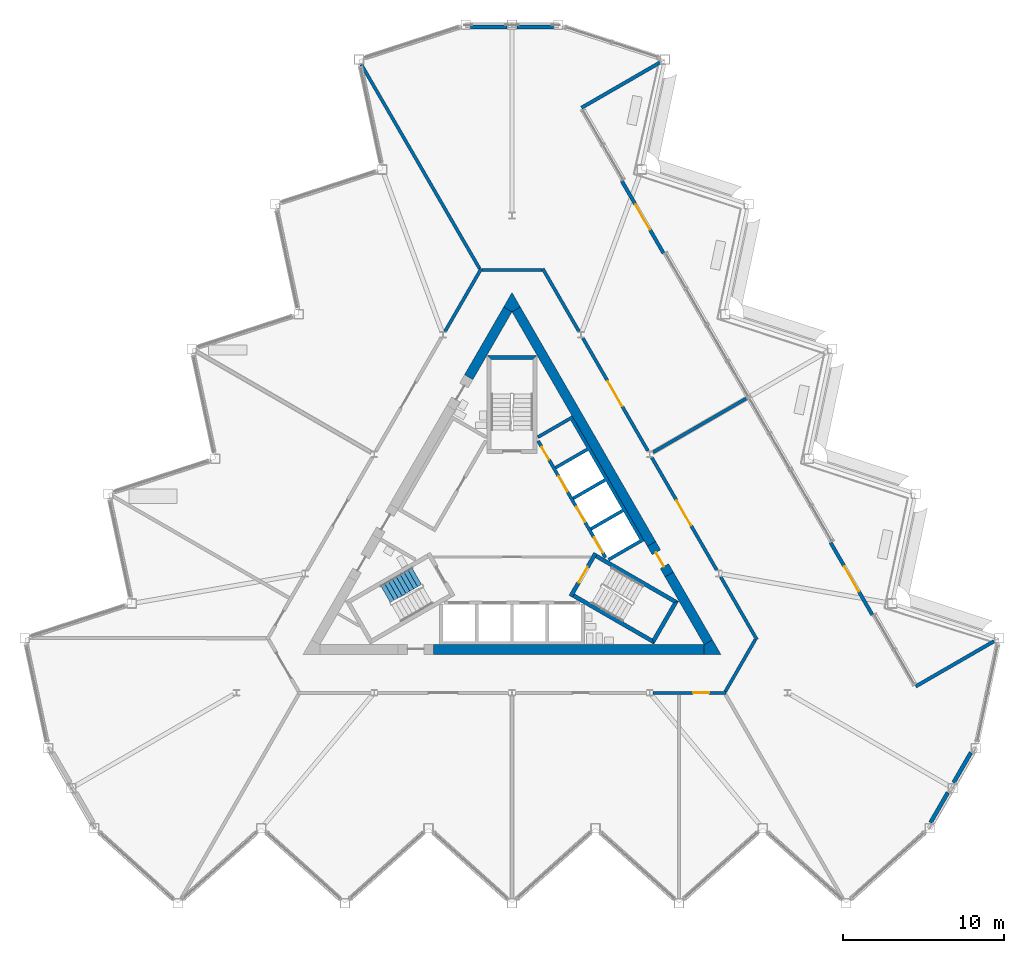
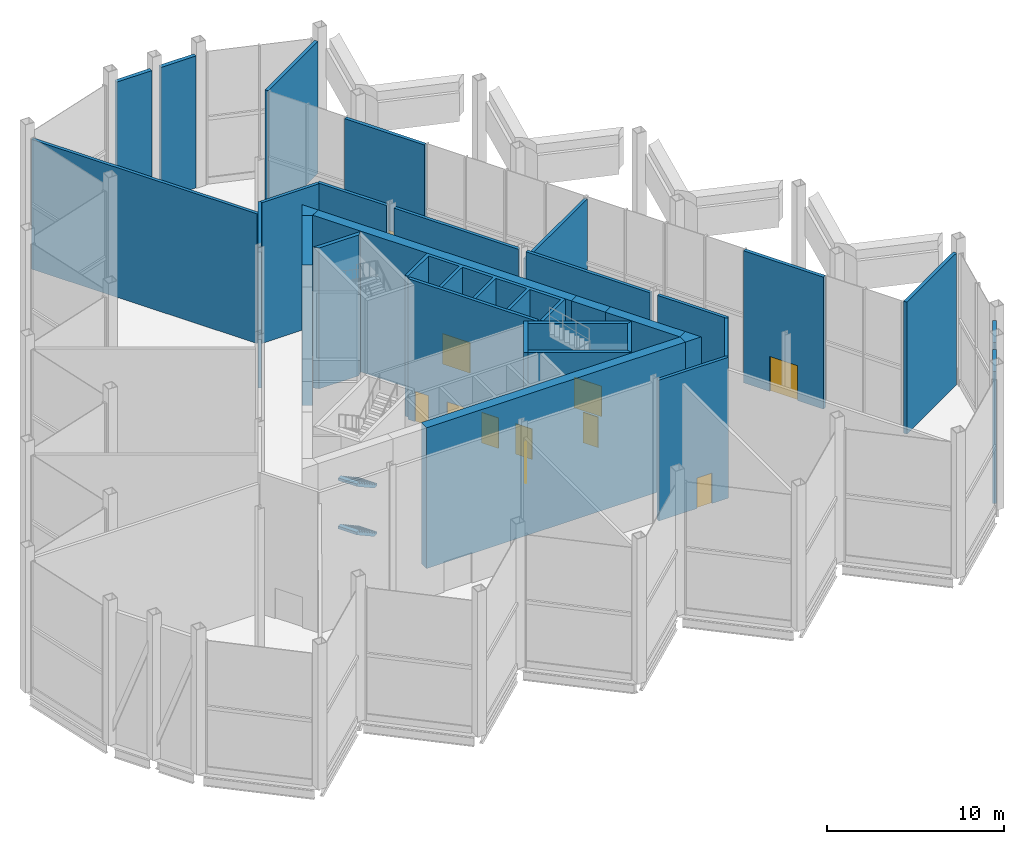
# One storey, part 10 of 18: 32 walls, 11 doors, 2 stair flights, 11 openings, 1 element without a shape of its own.
"""IFC4 building model written with IfcOpenShell, lengths in metres."""

from ifc_helpers import new_model, si_unit, direction, frame, frame_2d, origin, place, context, subcontext, project, spatial, polyline, rectangle, outline, extrude, material, layer, layer_set, type_object, element, fill, aggregate, save


model = new_model("IFC4")

# Units and contexts
model_context = context("Model", 3, precision=1e-05, world=origin(), true_north=direction((0.0, 1.0)))
body_context = subcontext(model_context, "Body", "Model", "MODEL_VIEW")
ifc_project = project(units=[si_unit("LENGTHUNIT", "METRE"), si_unit("AREAUNIT", "SQUARE_METRE"), si_unit("VOLUMEUNIT", "CUBIC_METRE"), si_unit("PLANEANGLEUNIT", "RADIAN"), si_unit("MASSUNIT", "GRAM", prefix="KILO")], contexts=[model_context])

# Site, building, storey
site_placement = place(None, origin())
site = spatial("IfcSite", under=ifc_project, at=site_placement, CompositionType="ELEMENT")
building_placement = place(site_placement, origin())
building = spatial("IfcBuilding", under=site, at=building_placement, Name="Cormorant Prow Tower", CompositionType="ELEMENT")
storey_placement = place(building_placement, frame((0.0, 0.0, 346.0)))
storey = spatial("IfcBuildingStorey", under=building, at=storey_placement, Name="L78", CompositionType="ELEMENT", Elevation=346.0)

# Walls
ifc_material_1 = material(Name="Concrete 8000 psi", Category="concrete")
ifc_layer_1 = layer(ifc_material_1, 0.60009765625)
ifc_layer_set_1 = layer_set([ifc_layer_1], Name="Concrete 8000 psi")
wall_type_1 = type_object("IfcWallType", Name="Core shear wall 600", PredefinedType="SHEAR", material=ifc_layer_set_1)
for number, where, z_axis, x_axis, name in (
    (1, (-4.89208984375, -7.20556640625, 0.0), (0.0, 0.0, 1.0), (1.0, 0.0, 0.0), "Core wall"),
    (2, (8.686279296875, -0.6337890625, 0.0), (0.0, 0.0, 1.0), (-0.500004601921, 0.866022746848, 0.0), "Core wall"),
):
    element("IfcWall", number, at=place(storey_placement, frame(where, z_axis=z_axis, x_axis=x_axis)), inside=storey, type_object=wall_type_1, Name=name, PredefinedType="SHEAR", context=body_context, shape_type="SweptSolid", body=[
        extrude(rectangle(XDim=16.852783203125, YDim=0.60009765625, at=frame_2d((8.42626953125, 0.0))), origin(), (0.0, 0.0, 1.0), 9.699951171875),
    ])
for number, where, z_axis, x_axis, name in (
    (3, (12.220703125, -6.755615234375, 0.0), (0.0, 0.0, 1.0), (-0.50000604952, 0.866021911064, 0.0), "Core wall"),
    (4, (-0.259765625, 13.961181640625, 0.0), (0.0, 0.0, 1.0), (-0.50000604952, -0.866021911064, 0.0), "Core wall"),
):
    element("IfcWall", number, at=place(storey_placement, frame(where, z_axis=z_axis, x_axis=x_axis)), inside=storey, type_object=wall_type_1, Name=name, PredefinedType="SHEAR", context=body_context, shape_type="SweptSolid", body=[
        extrude(rectangle(XDim=4.86865234375, YDim=0.60009765625, at=frame_2d((2.434326171875, 0.0))), origin(), (0.0, 0.0, 1.0), 9.699951171875),
    ])
wall_1_placement = place(storey_placement, origin())
element("IfcWall", 5, at=wall_1_placement, inside=storey, type_object=wall_type_1, Name="Core wall corner", PredefinedType="SHEAR", context=body_context, shape_type="SweptSolid", body=[
    extrude(outline(polyline([(-0.51953125, 14.111083984375), (0.0, 15.010986328125), (0.51953125, 14.111083984375), (0.0, 13.81103515625), (-0.51953125, 14.111083984375)])), origin(), (0.0, 0.0, 1.0), 9.699951171875),
])
wall_2_placement = place(storey_placement, origin())
element("IfcWall", 6, at=wall_2_placement, inside=storey, type_object=wall_type_1, Name="Core wall corner", PredefinedType="SHEAR", context=body_context, shape_type="SweptSolid", body=[
    extrude(outline(polyline([(11.960693359375, -7.505615234375), (11.960693359375, -6.905517578125), (12.48046875, -6.605712890625), (13.0, -7.505615234375), (11.960693359375, -7.505615234375)])), origin(), (0.0, 0.0, 1.0), 9.699951171875),
])

# Wall, opening, door
wall_3_placement = place(storey_placement, frame((9.786376953125, -2.539306640625, 0.0), z_axis=(0.0, 0.0, 1.0), x_axis=(-0.499981787252, 0.866035918664, 0.0)))
wall_3 = element("IfcWall", 7, at=wall_3_placement, inside=storey, type_object=wall_type_1, Name="Core wall door panel", PredefinedType="SHEAR", context=body_context, shape_type="SweptSolid", body=[
    extrude(rectangle(XDim=2.2001953125, YDim=0.60009765625, at=frame_2d((1.10009765625, 0.0))), origin(), (0.0, 0.0, 1.0), 9.699951171875),
])
opening_1_placement = place(wall_3_placement, frame((0.60009765625, 0.0, 0.0)))
opening_1 = element("IfcOpeningElement", 8, at=opening_1_placement, cuts=wall_3, Name="Opening L78-C15", PredefinedType="OPENING", context=body_context, shape_type="SweptSolid", body=[
    extrude(rectangle(XDim=1.0, YDim=2.10009765625, at=frame_2d((0.5, 1.050048828125))), frame((0.0, 0.31005859375, 0.0), z_axis=(0.0, -1.0, 0.0), x_axis=(1.0, 0.0, 0.0)), (0.0, 0.0, 1.0), 0.6201171875),
])
ifc_material_2 = material(Name="Painted steel", Category="steel")
door_type_1 = type_object("IfcDoorType", Name="Service door 1000x2100", OperationType="NOTDEFINED", PredefinedType="DOOR", material=ifc_material_2)
door_1_placement = place(opening_1_placement, origin())
door_1 = element("IfcDoor", 9, at=door_1_placement, inside=storey, type_object=door_type_1, Name="Core door, Toilets (women) L78", OperationType="SINGLE_SWING_LEFT", OverallHeight=2.10009765625, OverallWidth=1.0, PredefinedType="DOOR", context=body_context, shape_type="SweptSolid", body=[
    extrude(rectangle(XDim=1.0, YDim=2.10009765625, at=frame_2d((0.5, 1.050048828125))), frame((0.0, 0.05517578125, 0.0), z_axis=(0.0, -1.0, 0.0), x_axis=(1.0, 0.0, 0.0)), (0.0, 0.0, 1.0), 0.050048828125),
])
fill(opening_1, door_1)

ifc_material_3 = material(Name="Gypsum board corridor wall")
ifc_layer_2 = layer(ifc_material_3, 0.199951171875)
ifc_layer_set_2 = layer_set([ifc_layer_2], Name="Gypsum board corridor wall")
wall_type_2 = type_object("IfcWallType", Name="Corridor wall 200", PredefinedType="PARTITIONING", material=ifc_layer_set_2)
wall_4_placement = place(storey_placement, frame((4.4091796875, 12.17431640625, 0.0), z_axis=(0.0, 0.0, 1.0), x_axis=(0.499984266882, -0.866034487114, 0.0)))
wall_4 = element("IfcWall", 10, at=wall_4_placement, inside=storey, type_object=wall_type_2, Name="Corridor wall", PredefinedType="PARTITIONING", context=body_context, shape_type="SweptSolid", body=[
    extrude(rectangle(XDim=8.098876953125, YDim=0.199951171875, at=frame_2d((4.04931640625, 0.0))), origin(), (0.0, 0.0, 1.0), 9.699951171875),
])
opening_2_placement = place(wall_4_placement, frame((3.0986328125, 0.0, 0.0)))
opening_2 = element("IfcOpeningElement", 11, at=opening_2_placement, cuts=wall_4, Name="Opening L78-F05", PredefinedType="OPENING", context=body_context, shape_type="SweptSolid", body=[
    extrude(rectangle(XDim=1.800048828125, YDim=2.10009765625, at=frame_2d((0.89990234375, 1.050048828125))), frame((0.0, 0.10986328125, 0.0), z_axis=(0.0, -1.0, 0.0), x_axis=(1.0, 0.0, 0.0)), (0.0, 0.0, 1.0), 0.219970703125),
])
ifc_material_4 = material(Name="Timber door leaf", Category="wood")
door_type_2 = type_object("IfcDoorType", Name="Double door 1800x2100", OperationType="DOUBLE_DOOR_SINGLE_SWING", PredefinedType="DOOR", material=ifc_material_4)
door_2_placement = place(opening_2_placement, origin())
door_2 = element("IfcDoor", 12, at=door_2_placement, inside=storey, type_object=door_type_2, Name="Residents services centre door", OperationType="DOUBLE_DOOR_SINGLE_SWING", OverallHeight=2.10009765625, OverallWidth=1.800048828125, PredefinedType="DOOR", context=body_context, shape_type="SweptSolid", body=[
    extrude(rectangle(XDim=1.800048828125, YDim=2.10009765625, at=frame_2d((0.89990234375, 1.050048828125))), frame((0.0, 0.02490234375, 0.0), z_axis=(0.0, -1.0, 0.0), x_axis=(1.0, 0.0, 0.0)), (0.0, 0.0, 1.0), 0.050048828125),
])
fill(opening_2, door_2)

wall_5_placement = place(storey_placement, frame((8.698486328125, 4.7451171875, 0.0), z_axis=(0.0, 0.0, 1.0), x_axis=(0.499984266882, -0.866034487114, 0.0)))
wall_5 = element("IfcWall", 13, at=wall_5_placement, inside=storey, type_object=wall_type_2, Name="Corridor wall", PredefinedType="PARTITIONING", context=body_context, shape_type="SweptSolid", body=[
    extrude(rectangle(XDim=8.098876953125, YDim=0.199951171875, at=frame_2d((4.04931640625, 0.0))), origin(), (0.0, 0.0, 1.0), 9.699951171875),
])
opening_3_placement = place(wall_5_placement, frame((3.0986328125, 0.0, 0.0)))
opening_3 = element("IfcOpeningElement", 14, at=opening_3_placement, cuts=wall_5, Name="Opening L78-F04", PredefinedType="OPENING", context=body_context, shape_type="SweptSolid", body=[
    extrude(rectangle(XDim=1.800048828125, YDim=2.10009765625, at=frame_2d((0.89990234375, 1.050048828125))), frame((0.0, 0.10986328125, 0.0), z_axis=(0.0, -1.0, 0.0), x_axis=(1.0, 0.0, 0.0)), (0.0, 0.0, 1.0), 0.219970703125),
])
door_3_placement = place(opening_3_placement, origin())
door_3 = element("IfcDoor", 15, at=door_3_placement, inside=storey, type_object=door_type_2, Name="Business centre door", OperationType="DOUBLE_DOOR_SINGLE_SWING", OverallHeight=2.10009765625, OverallWidth=1.800048828125, PredefinedType="DOOR", context=body_context, shape_type="SweptSolid", body=[
    extrude(rectangle(XDim=1.800048828125, YDim=2.10009765625, at=frame_2d((0.89990234375, 1.050048828125))), frame((0.0, 0.02490234375, 0.0), z_axis=(0.0, -1.0, 0.0), x_axis=(1.0, 0.0, 0.0)), (0.0, 0.0, 1.0), 0.050048828125),
])
fill(opening_3, door_3)

wall_6_placement = place(storey_placement, frame((8.7861328125, -9.905517578125, 0.0), z_axis=(0.0, 0.0, 1.0), x_axis=(1.0, 0.0, 0.0)))
wall_6 = element("IfcWall", 16, at=wall_6_placement, inside=storey, type_object=wall_type_2, Name="Corridor wall", PredefinedType="PARTITIONING", context=body_context, shape_type="SweptSolid", body=[
    extrude(rectangle(XDim=4.544677734375, YDim=0.199951171875, at=frame_2d((2.2724609375, 0.0))), origin(), (0.0, 0.0, 1.0), 9.699951171875),
])
opening_4_placement = place(wall_6_placement, frame((2.48291015625, 0.0, 0.0)))
opening_4 = element("IfcOpeningElement", 17, at=opening_4_placement, cuts=wall_6, Name="Opening L78-F03", PredefinedType="OPENING", context=body_context, shape_type="SweptSolid", body=[
    extrude(rectangle(XDim=1.0, YDim=2.10009765625, at=frame_2d((0.5, 1.050048828125))), frame((0.0, 0.10986328125, 0.0), z_axis=(0.0, -1.0, 0.0), x_axis=(1.0, 0.0, 0.0)), (0.0, 0.0, 1.0), 0.219970703125),
])
ifc_material_5 = material(Name="Timber door leaf", Category="wood")
door_type_3 = type_object("IfcDoorType", Name="Flat or room entrance door 1000x2100", OperationType="NOTDEFINED", PredefinedType="DOOR", material=ifc_material_5)
door_4_placement = place(opening_4_placement, origin())
door_4 = element("IfcDoor", 18, at=door_4_placement, inside=storey, type_object=door_type_3, Name="Concierge office door", OperationType="SINGLE_SWING_LEFT", OverallHeight=2.10009765625, OverallWidth=1.0, PredefinedType="DOOR", context=body_context, shape_type="SweptSolid", body=[
    extrude(rectangle(XDim=1.0, YDim=2.10009765625, at=frame_2d((0.5, 1.050048828125))), frame((0.0, 0.02490234375, 0.0), z_axis=(0.0, -1.0, 0.0), x_axis=(1.0, 0.0, 0.0)), (0.0, 0.0, 1.0), 0.050048828125),
])
fill(opening_4, door_4)

# Walls
for number, where, z_axis, x_axis, name in (
    (19, (12.987548828125, -2.68408203125, 0.0), (0.0, 0.0, 1.0), (0.49999094734, -0.866030630277, 0.0), "Corridor wall"),
    (20, (-4.169189453125, 12.589599609375, 0.0), (0.0, 0.0, 1.0), (0.499950370306, 0.866054055606, 0.0), "Corridor wall"),
    (21, (1.9130859375, 16.497802734375, 0.0), (0.0, 0.0, 1.0), (0.499950370306, -0.866054055606, 0.0), "Corridor wall"),
):
    element("IfcWall", number, at=place(storey_placement, frame(where, z_axis=z_axis, x_axis=x_axis)), inside=storey, type_object=wall_type_2, Name=name, PredefinedType="PARTITIONING", context=body_context, shape_type="SweptSolid", body=[
        extrude(rectangle(XDim=4.5126953125, YDim=0.199951171875, at=frame_2d((2.25634765625, 0.0))), origin(), (0.0, 0.0, 1.0), 9.699951171875),
    ])
wall_7_placement = place(storey_placement, frame((-1.863037109375, 16.4111328125, 0.0), z_axis=(0.0, 0.0, 1.0), x_axis=(1.0, 0.0, 0.0)))
element("IfcWall", 22, at=wall_7_placement, inside=storey, type_object=wall_type_2, Name="Corridor wall", PredefinedType="PARTITIONING", context=body_context, shape_type="SweptSolid", body=[
    extrude(rectangle(XDim=3.72607421875, YDim=0.199951171875, at=frame_2d((1.863037109375, 0.0))), origin(), (0.0, 0.0, 1.0), 9.699951171875),
])
wall_8_placement = place(storey_placement, frame((13.281005859375, -9.819091796875, 0.0), z_axis=(0.0, 0.0, 1.0), x_axis=(0.499958791762, 0.866049194065, 0.0)))
element("IfcWall", 23, at=wall_8_placement, inside=storey, type_object=wall_type_2, Name="Corridor wall", PredefinedType="PARTITIONING", context=body_context, shape_type="SweptSolid", body=[
    extrude(rectangle(XDim=3.725830078125, YDim=0.199951171875, at=frame_2d((1.86279296875, 0.0))), origin(), (0.0, 0.0, 1.0), 9.699951171875),
])
ifc_material_6 = material(Name="Gypsum board demising wall")
ifc_layer_3 = layer(ifc_material_6, 0.199951171875)
ifc_layer_set_3 = layer_set([ifc_layer_3], Name="Gypsum board demising wall")
wall_type_3 = type_object("IfcWallType", Name="Demising wall 200", PredefinedType="PARTITIONING", material=ifc_layer_set_3)
wall_9_placement = place(storey_placement, frame((-9.376708984375, 29.2041015625, 0.0), z_axis=(0.0, 0.0, 1.0), x_axis=(0.501398610674, -0.865216408313, 0.0)))
element("IfcWall", 24, at=wall_9_placement, inside=storey, type_object=wall_type_3, Name="Demising wall", PredefinedType="PARTITIONING", context=body_context, shape_type="SweptSolid", body=[
    extrude(rectangle(XDim=14.68603515625, YDim=0.199951171875, at=frame_2d((7.343017578125, 0.0))), origin(), (0.0, 0.0, 1.0), 8.93017578125),
])
wall_10_placement = place(storey_placement, frame((8.7861328125, 5.07275390625, 0.0), z_axis=(0.0, 0.0, 1.0), x_axis=(0.866041038191, 0.499972919436, 0.0)))
element("IfcWall", 25, at=wall_10_placement, inside=storey, type_object=wall_type_3, Name="Demising wall", PredefinedType="PARTITIONING", context=body_context, shape_type="SweptSolid", body=[
    extrude(rectangle(XDim=6.86279296875, YDim=0.199951171875, at=frame_2d((3.431396484375, 0.0))), origin(), (0.0, 0.0, 1.0), 8.93017578125),
])

# Wall, openings, doors
ifc_material_7 = material(Name="Concrete 5000 psi", Category="concrete")
ifc_layer_4 = layer(ifc_material_7, 0.199951171875)
ifc_layer_set_4 = layer_set([ifc_layer_4], Name="Concrete 5000 psi")
wall_type_4 = type_object("IfcWallType", Name="Lift lobby wall 200", PredefinedType="SOLIDWALL", material=ifc_layer_set_4)
wall_11_placement = place(storey_placement, frame((5.817138671875, -1.4755859375, 0.0), z_axis=(0.0, 0.0, 1.0), x_axis=(-0.500002616675, 0.866023893041, 0.0)))
wall_11 = element("IfcWall", 26, at=wall_11_placement, inside=storey, type_object=wall_type_4, Name="Lift lobby wall, ENE block", PredefinedType="SOLIDWALL", context=body_context, shape_type="SweptSolid", body=[
    extrude(rectangle(XDim=8.373046875, YDim=0.199951171875, at=frame_2d((4.1865234375, 0.0))), origin(), (0.0, 0.0, 1.0), 9.699951171875),
])
opening_5_placement = place(wall_11_placement, frame((0.336669921875, 0.0, 0.0)))
opening_5 = element("IfcOpeningElement", 27, at=opening_5_placement, cuts=wall_11, Name="Opening L78-C05", PredefinedType="OPENING", context=body_context, shape_type="SweptSolid", body=[
    extrude(rectangle(XDim=1.10009765625, YDim=2.10009765625, at=frame_2d((0.550048828125, 1.050048828125))), frame((0.0, 0.10986328125, 0.0), z_axis=(0.0, -1.0, 0.0), x_axis=(1.0, 0.0, 0.0)), (0.0, 0.0, 1.0), 0.219970703125),
])
opening_6_placement = place(wall_11_placement, frame((2.53662109375, 0.0, 0.0)))
opening_6 = element("IfcOpeningElement", 28, at=opening_6_placement, cuts=wall_11, Name="Opening L78-C06", PredefinedType="OPENING", context=body_context, shape_type="SweptSolid", body=[
    extrude(rectangle(XDim=1.10009765625, YDim=2.10009765625, at=frame_2d((0.550048828125, 1.050048828125))), frame((0.0, 0.10986328125, 0.0), z_axis=(0.0, -1.0, 0.0), x_axis=(1.0, 0.0, 0.0)), (0.0, 0.0, 1.0), 0.219970703125),
])
opening_7_placement = place(wall_11_placement, frame((4.736572265625, 0.0, 0.0)))
opening_7 = element("IfcOpeningElement", 29, at=opening_7_placement, cuts=wall_11, Name="Opening L78-C07", PredefinedType="OPENING", context=body_context, shape_type="SweptSolid", body=[
    extrude(rectangle(XDim=1.10009765625, YDim=2.10009765625, at=frame_2d((0.550048828125, 1.050048828125))), frame((0.0, 0.10986328125, 0.0), z_axis=(0.0, -1.0, 0.0), x_axis=(1.0, 0.0, 0.0)), (0.0, 0.0, 1.0), 0.219970703125),
])
opening_8_placement = place(wall_11_placement, frame((7.03662109375, 0.0, 0.0)))
opening_8 = element("IfcOpeningElement", 30, at=opening_8_placement, cuts=wall_11, Name="Opening L78-C08", PredefinedType="OPENING", context=body_context, shape_type="SweptSolid", body=[
    extrude(rectangle(XDim=0.89990234375, YDim=2.10009765625, at=frame_2d((0.449951171875, 1.050048828125))), frame((0.0, 0.10986328125, 0.0), z_axis=(0.0, -1.0, 0.0), x_axis=(1.0, 0.0, 0.0)), (0.0, 0.0, 1.0), 0.219970703125),
])
ifc_material_8 = material(Name="Painted steel", Category="steel")
door_type_4 = type_object("IfcDoorType", Name="Lift landing door 1100x2100", OperationType="SLIDING_TO_LEFT", PredefinedType="DOOR", material=ifc_material_8)
door_5_placement = place(opening_5_placement, origin())
door_5 = element("IfcDoor", 31, at=door_5_placement, inside=storey, type_object=door_type_4, Name="Landing door HR2", OperationType="SLIDING_TO_LEFT", OverallHeight=2.10009765625, OverallWidth=1.10009765625, PredefinedType="DOOR", context=body_context, shape_type="SweptSolid", body=[
    extrude(rectangle(XDim=1.10009765625, YDim=2.10009765625, at=frame_2d((0.550048828125, 1.050048828125))), frame((0.0, 0.02490234375, 0.0), z_axis=(0.0, -1.0, 0.0), x_axis=(1.0, 0.0, 0.0)), (0.0, 0.0, 1.0), 0.050048828125),
])
fill(opening_5, door_5)
door_6_placement = place(opening_6_placement, origin())
door_6 = element("IfcDoor", 32, at=door_6_placement, inside=storey, type_object=door_type_4, Name="Landing door HR3", OperationType="SLIDING_TO_LEFT", OverallHeight=2.10009765625, OverallWidth=1.10009765625, PredefinedType="DOOR", context=body_context, shape_type="SweptSolid", body=[
    extrude(rectangle(XDim=1.10009765625, YDim=2.10009765625, at=frame_2d((0.550048828125, 1.050048828125))), frame((0.0, 0.02490234375, 0.0), z_axis=(0.0, -1.0, 0.0), x_axis=(1.0, 0.0, 0.0)), (0.0, 0.0, 1.0), 0.050048828125),
])
fill(opening_6, door_6)
door_7_placement = place(opening_7_placement, origin())
door_7 = element("IfcDoor", 33, at=door_7_placement, inside=storey, type_object=door_type_4, Name="Landing door HR4", OperationType="SLIDING_TO_LEFT", OverallHeight=2.10009765625, OverallWidth=1.10009765625, PredefinedType="DOOR", context=body_context, shape_type="SweptSolid", body=[
    extrude(rectangle(XDim=1.10009765625, YDim=2.10009765625, at=frame_2d((0.550048828125, 1.050048828125))), frame((0.0, 0.02490234375, 0.0), z_axis=(0.0, -1.0, 0.0), x_axis=(1.0, 0.0, 0.0)), (0.0, 0.0, 1.0), 0.050048828125),
])
fill(opening_7, door_7)
ifc_material_9 = material(Name="Painted steel", Category="steel")
door_type_5 = type_object("IfcDoorType", Name="Service door 900x2100", OperationType="NOTDEFINED", PredefinedType="DOOR", material=ifc_material_9)
door_8_placement = place(opening_8_placement, origin())
door_8 = element("IfcDoor", 34, at=door_8_placement, inside=storey, type_object=door_type_5, Name="Service door, Pantry store", OperationType="SINGLE_SWING_RIGHT", OverallHeight=2.10009765625, OverallWidth=0.89990234375, PredefinedType="DOOR", context=body_context, shape_type="SweptSolid", body=[
    extrude(rectangle(XDim=0.89990234375, YDim=2.10009765625, at=frame_2d((0.449951171875, 1.050048828125))), frame((0.0, 0.02490234375, 0.0), z_axis=(0.0, -1.0, 0.0), x_axis=(1.0, 0.0, 0.0)), (0.0, 0.0, 1.0), 0.050048828125),
])
fill(opening_8, door_8)

# Walls
ifc_material_10 = material(Name="Concrete 8000 psi", Category="concrete")
ifc_layer_5 = layer(ifc_material_10, 0.199951171875)
ifc_layer_set_5 = layer_set([ifc_layer_5], Name="Concrete 8000 psi")
wall_type_5 = type_object("IfcWallType", Name="Lift shaft wall 200", PredefinedType="SHEAR", material=ifc_layer_set_5)
wall_12_placement = place(storey_placement, origin())
element("IfcWall", 35, at=wall_12_placement, inside=storey, type_object=wall_type_5, Name="Lift shaft walls, ENE block", PredefinedType="SHEAR", context=body_context, shape_type="SweptSolid", body=[
    extrude(outline(polyline([(1.560546875, 6.09716796875), (3.730712890625, 7.35009765625), (8.230712890625, -0.444091796875), (6.060546875, -1.697021484375), (5.96044921875, -1.52392578125), (7.952392578125, -0.373779296875), (6.952392578125, 1.358154296875), (4.96044921875, 0.2080078125), (4.860595703125, 0.38134765625), (6.852294921875, 1.53125), (5.852294921875, 3.263427734375), (3.860595703125, 2.11328125), (3.760498046875, 2.28662109375), (5.75244140625, 3.4365234375), (4.75244140625, 5.168701171875), (2.760498046875, 4.018798828125), (2.660400390625, 4.19189453125), (4.65234375, 5.341796875), (3.65234375, 7.073974609375), (1.660400390625, 5.923828125), (1.560546875, 6.09716796875)])), origin(), (0.0, 0.0, 1.0), 9.699951171875),
])
ifc_material_11 = material(Name="Concrete 8000 psi", Category="concrete")
ifc_layer_6 = layer(ifc_material_11, 0.25)
ifc_layer_set_6 = layer_set([ifc_layer_6], Name="Concrete 8000 psi")
wall_type_6 = type_object("IfcWallType", Name="Stair wall 250", PredefinedType="SHEAR", material=ifc_layer_set_6)
wall_13_placement = place(storey_placement, origin())
element("IfcWall", 36, at=wall_13_placement, inside=storey, type_object=wall_type_6, Name="Stair ST2 enclosure wall (flank)", PredefinedType="SHEAR", context=body_context, shape_type="SweptSolid", body=[
    extrude(outline(polyline([(3.76318359375, -3.95556640625), (8.82958984375, -6.880615234375), (8.738037109375, -6.5390625), (3.88818359375, -3.739013671875), (3.76318359375, -3.95556640625)])), origin(), (0.0, 0.0, 1.0), 9.699951171875),
])
wall_14_placement = place(storey_placement, origin())
element("IfcWall", 37, at=wall_14_placement, inside=storey, type_object=wall_type_6, Name="Stair ST2 enclosure wall (end)", PredefinedType="SHEAR", context=body_context, shape_type="SweptSolid", body=[
    extrude(outline(polyline([(8.82958984375, -6.880615234375), (10.37353515625, -4.206298828125), (10.031982421875, -4.2978515625), (8.738037109375, -6.5390625), (8.82958984375, -6.880615234375)])), origin(), (0.0, 0.0, 1.0), 9.699951171875),
])
wall_15_placement = place(storey_placement, origin())
element("IfcWall", 38, at=wall_15_placement, inside=storey, type_object=wall_type_6, Name="Stair ST2 enclosure wall (flank)", PredefinedType="SHEAR", context=body_context, shape_type="SweptSolid", body=[
    extrude(outline(polyline([(10.031982421875, -4.2978515625), (10.37353515625, -4.206298828125), (5.30712890625, -1.28125), (5.18212890625, -1.497802734375), (10.031982421875, -4.2978515625)])), origin(), (0.0, 0.0, 1.0), 9.699951171875),
])

# Wall, opening, door
wall_16_placement = place(storey_placement, frame((3.655029296875, -3.89306640625, 0.0), z_axis=(0.0, 0.0, 1.0), x_axis=(0.499982516597, 0.866035497597, 0.0)))
wall_16 = element("IfcWall", 39, at=wall_16_placement, inside=storey, type_object=wall_type_6, Name="Stair ST2 door wall", PredefinedType="SHEAR", context=body_context, shape_type="SweptSolid", body=[
    extrude(rectangle(XDim=3.087890625, YDim=0.25, at=frame_2d((1.5439453125, 0.0))), origin(), (0.0, 0.0, 1.0), 9.699951171875),
])
opening_9_placement = place(wall_16_placement, frame((0.993896484375, 0.0, 0.0)))
opening_9 = element("IfcOpeningElement", 40, at=opening_9_placement, cuts=wall_16, Name="Opening L78-C12", PredefinedType="OPENING", context=body_context, shape_type="SweptSolid", body=[
    extrude(rectangle(XDim=1.10009765625, YDim=2.10009765625, at=frame_2d((0.550048828125, 1.050048828125))), frame((0.0, 0.135009765625, 0.0), z_axis=(0.0, -1.0, 0.0), x_axis=(1.0, 0.0, 0.0)), (0.0, 0.0, 1.0), 0.27001953125),
])
ifc_material_12 = material(Name="Painted steel", Category="steel")
door_type_6 = type_object("IfcDoorType", Name="Stair door 1100x2100", OperationType="NOTDEFINED", PredefinedType="DOOR", material=ifc_material_12)
door_9_placement = place(opening_9_placement, origin())
door_9 = element("IfcDoor", 41, at=door_9_placement, inside=storey, type_object=door_type_6, Name="Stair ST2 door", OperationType="SINGLE_SWING_RIGHT", OverallHeight=2.10009765625, OverallWidth=1.10009765625, PredefinedType="DOOR", context=body_context, shape_type="SweptSolid", body=[
    extrude(rectangle(XDim=1.10009765625, YDim=2.10009765625, at=frame_2d((0.550048828125, 1.050048828125))), frame((0.0, 0.02490234375, 0.0), z_axis=(0.0, -1.0, 0.0), x_axis=(1.0, 0.0, 0.0)), (0.0, 0.0, 1.0), 0.050048828125),
])
fill(opening_9, door_9)

# Walls
wall_17_placement = place(storey_placement, origin())
element("IfcWall", 42, at=wall_17_placement, inside=storey, type_object=wall_type_6, Name="Stair ST3 enclosure wall (end)", PredefinedType="SHEAR", context=body_context, shape_type="SweptSolid", body=[
    extrude(outline(polyline([(1.5439453125, 11.0869140625), (-1.5439453125, 11.0869140625), (-1.2939453125, 10.8369140625), (1.2939453125, 10.8369140625), (1.5439453125, 11.0869140625)])), origin(), (0.0, 0.0, 1.0), 9.699951171875),
])
ifc_material_13 = material(Name="Terracotta", Category="masonry")
ifc_layer_7 = layer(ifc_material_13, 0.25)
ifc_layer_set_7 = layer_set([ifc_layer_7], Name="Terracotta")
wall_type_7 = type_object("IfcWallType", Name="Terracotta bay wall 250", PredefinedType="SOLIDWALL", material=ifc_layer_set_7)
for number, where, z_axis, x_axis, name in (
    (43, (26.05322265625, -17.976806640625, 0.0), (0.0, 0.0, 1.0), (0.499958141536, 0.866049569431, 0.0), "Terracotta bay wall ESE00"),
    (44, (27.489990234375, -15.488037109375, 0.0), (0.0, 0.0, 1.0), (0.500043223821, 0.866000447062, 0.0), "Terracotta bay wall ESE01"),
):
    element("IfcWall", number, at=place(storey_placement, frame(where, z_axis=z_axis, x_axis=x_axis)), inside=storey, type_object=wall_type_7, Name=name, PredefinedType="SOLIDWALL", context=body_context, shape_type="SweptSolid", body=[
        extrude(rectangle(XDim=2.152099609375, YDim=0.25, at=frame_2d((1.076171875, 0.0))), origin(), (0.0, 0.0, 1.0), 9.087890625),
    ])
for number, where, z_axis, x_axis, name in (
    (45, (2.57373046875, 31.551025390625, 0.0), (0.0, 0.0, 1.0), (-1.0, 0.0, 0.0), "Terracotta bay wall N00"),
    (46, (-0.300048828125, 31.551025390625, 0.0), (0.0, 0.0, 1.0), (-1.0, 0.0, 0.0), "Terracotta bay wall N01"),
):
    element("IfcWall", number, at=place(storey_placement, frame(where, z_axis=z_axis, x_axis=x_axis)), inside=storey, type_object=wall_type_7, Name=name, PredefinedType="SOLIDWALL", context=body_context, shape_type="SweptSolid", body=[
        extrude(rectangle(XDim=2.273681640625, YDim=0.25, at=frame_2d((1.13671875, 0.0))), origin(), (0.0, 0.0, 1.0), 9.087890625),
    ])

# Wall, opening, door
ifc_material_14 = material(Name="Terracotta", Category="masonry")
ifc_layer_8 = layer(ifc_material_14, 0.219970703125)
ifc_layer_set_8 = layer_set([ifc_layer_8], Name="Terracotta")
wall_type_8 = type_object("IfcWallType", Name="Terracotta loggia wall 220", PredefinedType="SOLIDWALL", material=ifc_layer_set_8)
wall_18_placement = place(storey_placement, frame((22.432861328125, -5.05859375, 0.0), z_axis=(0.0, 0.0, 1.0), x_axis=(-0.499997499024, 0.866026847719, 0.0)))
wall_18 = element("IfcWall", 47, at=wall_18_placement, inside=storey, type_object=wall_type_8, Name="Terracotta loggia wall ENE02", PredefinedType="SOLIDWALL", context=body_context, shape_type="SweptSolid", body=[
    extrude(rectangle(XDim=5.19921875, YDim=0.219970703125, at=frame_2d((2.599609375, 0.0))), origin(), (0.0, 0.0, 1.0), 9.087890625),
])
opening_10_placement = place(wall_18_placement, frame((1.699462890625, 0.0, 0.0)))
opening_10 = element("IfcOpeningElement", 48, at=opening_10_placement, cuts=wall_18, Name="Opening ED78.01", PredefinedType="OPENING", context=body_context, shape_type="SweptSolid", body=[
    extrude(rectangle(XDim=1.800048828125, YDim=2.39990234375, at=frame_2d((0.89990234375, 1.199951171875))), frame((0.0, 0.119873046875, 0.0), z_axis=(0.0, -1.0, 0.0), x_axis=(1.0, 0.0, 0.0)), (0.0, 0.0, 1.0), 0.239990234375),
])
ifc_material_15 = material(Name="Aluminium 6063-T6", Category="aluminium")
door_type_7 = type_object("IfcDoorType", Name="Terrace door 1800x2400", OperationType="DOUBLE_DOOR_SINGLE_SWING", PredefinedType="DOOR", material=ifc_material_15)
door_10_placement = place(opening_10_placement, origin())
door_10 = element("IfcDoor", 49, at=door_10_placement, inside=storey, type_object=door_type_7, Name="Terrace door ENE02 ED78.01", OperationType="DOUBLE_DOOR_SINGLE_SWING", OverallHeight=2.39990234375, OverallWidth=1.800048828125, PredefinedType="DOOR", context=body_context, shape_type="SweptSolid", body=[
    extrude(rectangle(XDim=1.800048828125, YDim=2.39990234375, at=frame_2d((0.89990234375, 1.199951171875))), frame((0.0, 0.02490234375, 0.0), z_axis=(0.0, -1.0, 0.0), x_axis=(1.0, 0.0, 0.0)), (0.0, 0.0, 1.0), 0.050048828125),
])
fill(opening_10, door_10)

wall_19_placement = place(storey_placement, frame((9.43505859375, 17.4541015625, 0.0), z_axis=(0.0, 0.0, 1.0), x_axis=(-0.500017832597, 0.866015107885, 0.0)))
wall_19 = element("IfcWall", 50, at=wall_19_placement, inside=storey, type_object=wall_type_8, Name="Terracotta loggia wall ENE07", PredefinedType="SOLIDWALL", context=body_context, shape_type="SweptSolid", body=[
    extrude(rectangle(XDim=5.198974609375, YDim=0.219970703125, at=frame_2d((2.599609375, 0.0))), origin(), (0.0, 0.0, 1.0), 9.087890625),
])
opening_11_placement = place(wall_19_placement, frame((1.699462890625, 0.0, 0.0)))
opening_11 = element("IfcOpeningElement", 51, at=opening_11_placement, cuts=wall_19, Name="Opening ED78.02", PredefinedType="OPENING", context=body_context, shape_type="SweptSolid", body=[
    extrude(rectangle(XDim=1.800048828125, YDim=2.39990234375, at=frame_2d((0.89990234375, 1.199951171875))), frame((0.0, 0.119873046875, 0.0), z_axis=(0.0, -1.0, 0.0), x_axis=(1.0, 0.0, 0.0)), (0.0, 0.0, 1.0), 0.239990234375),
])
door_11_placement = place(opening_11_placement, origin())
door_11 = element("IfcDoor", 52, at=door_11_placement, inside=storey, type_object=door_type_7, Name="Terrace door ENE07 ED78.02", OperationType="DOUBLE_DOOR_SINGLE_SWING", OverallHeight=2.39990234375, OverallWidth=1.800048828125, PredefinedType="DOOR", context=body_context, shape_type="SweptSolid", body=[
    extrude(rectangle(XDim=1.800048828125, YDim=2.39990234375, at=frame_2d((0.89990234375, 1.199951171875))), frame((0.0, 0.02490234375, 0.0), z_axis=(0.0, -1.0, 0.0), x_axis=(1.0, 0.0, 0.0)), (0.0, 0.0, 1.0), 0.050048828125),
])
fill(opening_11, door_11)

# Walls
for number, where, z_axis, x_axis, name in (
    (53, (29.99462890625, -6.696044921875, 0.0), (0.0, 0.0, 1.0), (-0.866015577098, -0.500017019934, 0.0), "Terracotta loggia return ENE west"),
    (54, (9.1982421875, 29.32421875, 0.0), (0.0, 0.0, 1.0), (-0.866015577098, -0.500017019934, 0.0), "Terracotta loggia return ENE east"),
):
    element("IfcWall", number, at=place(storey_placement, frame(where, z_axis=z_axis, x_axis=x_axis)), inside=storey, type_object=wall_type_8, Name=name, PredefinedType="SOLIDWALL", context=body_context, shape_type="SweptSolid", body=[
        extrude(rectangle(XDim=5.619873046875, YDim=0.219970703125, at=frame_2d((2.81005859375, 0.0))), origin(), (0.0, 0.0, 1.0), 9.087890625),
    ])

# Stair, stair flights
ifc_material_16 = material(Name="Exit stair 54 risers")
stair_type = type_object("IfcStairType", Name="Exit stair 54 risers", PredefinedType="HALF_TURN_STAIR", material=ifc_material_16)
stair_placement = place(storey_placement, origin())
stair = element("IfcStair", 55, at=stair_placement, inside=storey, type_object=stair_type, Name="L78 Exit stair ST1", PredefinedType="HALF_TURN_STAIR")
ifc_material_17 = material(Name="Concrete 5000 psi", Category="concrete")
stair_flight_type = type_object("IfcStairFlightType", Name="Stair flight 1219", PredefinedType="STRAIGHT", material=ifc_material_17)
stair_flight_1_placement = place(storey_placement, frame((-5.93310546875, -2.635009765625, 0.0), z_axis=(0.0, 0.0, 1.0), x_axis=(-0.866025403784, -0.5, 0.0)))
stair_flight_1 = element("IfcStairFlight", 56, at=stair_flight_1_placement, type_object=stair_flight_type, Name="ST1 flight 1", NumberOfRisers=9, NumberOfTreads=8, PredefinedType="STRAIGHT", RiserHeight=0.185185185, TreadLength=0.28, context=body_context, shape_type="SweptSolid", body=[
    extrude(outline(polyline([(0.0, 0.0), (0.0, 0.185302734375), (0.280029296875, 0.185302734375), (0.280029296875, 0.370361328125), (0.56005859375, 0.370361328125), (0.56005859375, 0.5556640625), (0.840087890625, 0.5556640625), (0.840087890625, 0.74072265625), (1.1201171875, 0.74072265625), (1.1201171875, 0.926025390625), (1.39990234375, 0.926025390625), (1.39990234375, 1.111083984375), (1.679931640625, 1.111083984375), (1.679931640625, 1.29638671875), (1.9599609375, 1.29638671875), (1.9599609375, 1.4814453125), (2.239990234375, 1.4814453125), (2.239990234375, 1.666748046875), (2.239990234375, 1.3017578125), (0.271728515625, 0.0), (0.0, 0.0)])), frame((0.0, 0.609375, 0.0), z_axis=(0.0, -1.0, 0.0), x_axis=(1.0, 0.0, 0.0)), (0.0, 0.0, 1.0), 1.218994140625),
])
stair_flight_2_placement = place(storey_placement, frame((-5.93310546875, -2.635009765625, 3.333251953125), z_axis=(0.0, 0.0, 1.0), x_axis=(-0.866025403784, -0.5, 0.0)))
stair_flight_2 = element("IfcStairFlight", 57, at=stair_flight_2_placement, type_object=stair_flight_type, Name="ST1 flight 3", NumberOfRisers=9, NumberOfTreads=8, PredefinedType="STRAIGHT", RiserHeight=0.185185185, TreadLength=0.28, context=body_context, shape_type="SweptSolid", body=[
    extrude(outline(polyline([(0.0, 0.0), (0.0, 0.185302734375), (0.280029296875, 0.185302734375), (0.280029296875, 0.370361328125), (0.56005859375, 0.370361328125), (0.56005859375, 0.5556640625), (0.840087890625, 0.5556640625), (0.840087890625, 0.74072265625), (1.1201171875, 0.74072265625), (1.1201171875, 0.926025390625), (1.39990234375, 0.926025390625), (1.39990234375, 1.111083984375), (1.679931640625, 1.111083984375), (1.679931640625, 1.29638671875), (1.9599609375, 1.29638671875), (1.9599609375, 1.4814453125), (2.239990234375, 1.4814453125), (2.239990234375, 1.666748046875), (2.239990234375, 1.3017578125), (0.271728515625, 0.0), (0.0, 0.0)])), frame((0.0, 0.609375, 0.0), z_axis=(0.0, -1.0, 0.0), x_axis=(1.0, 0.0, 0.0)), (0.0, 0.0, 1.0), 1.218994140625),
])
aggregate(stair, [stair_flight_1, stair_flight_2])

save(model, "model.ifc")
